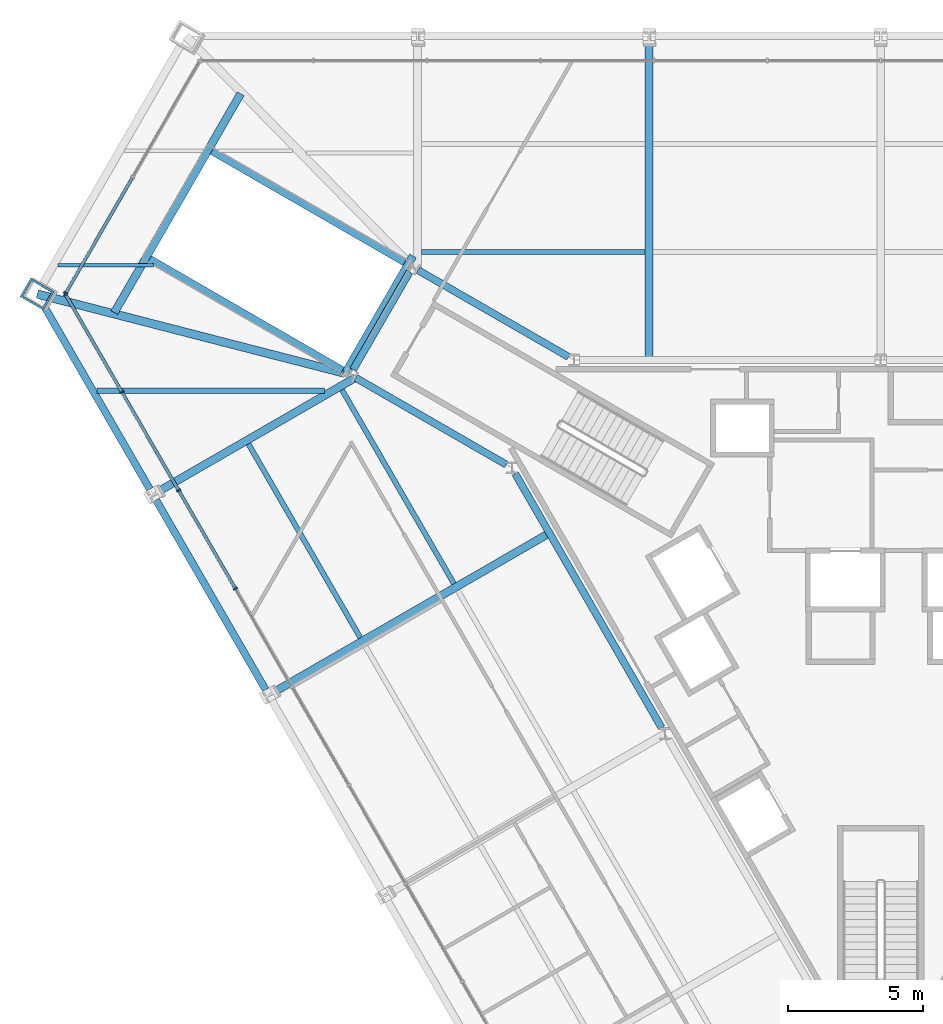
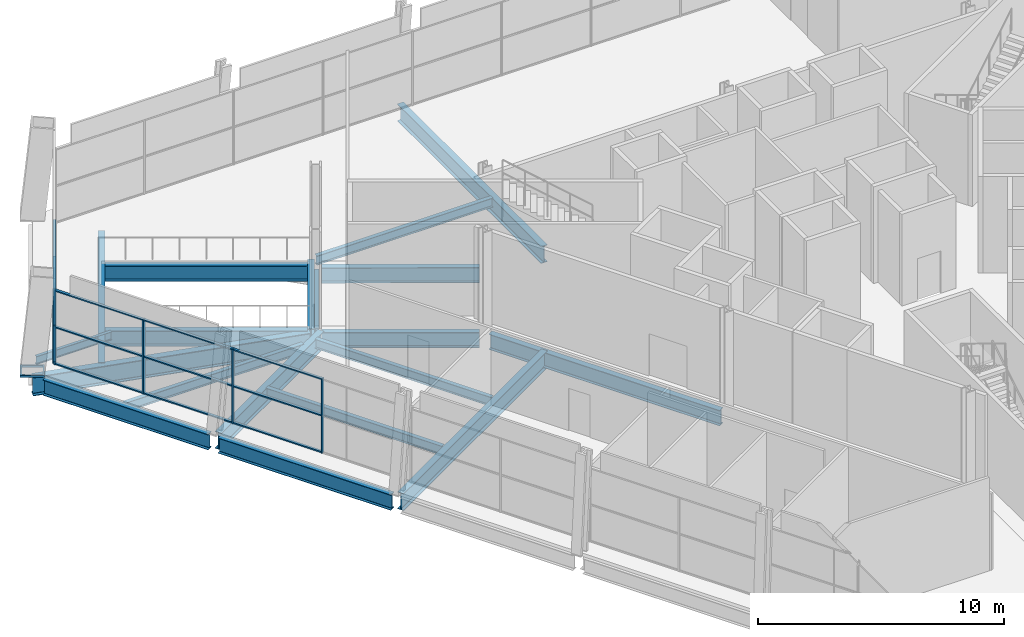
# One storey, part 6 of 18: 19 beams, 18 members, 2 elements without a shape of their own.
"""IFC4 building model written with IfcOpenShell, lengths in metres."""

from ifc_helpers import new_model, si_unit, direction, frame, origin, origin_2d, place, context, subcontext, project, spatial, rectangle, hollow_rectangle, i_section, extrude, material, layer, layer_set, material_profile, profile_set, type_object, element, aggregate, save


model = new_model("IFC4")

# Units and contexts
model_context = context("Model", 3, precision=1e-05, world=origin(), true_north=direction((0.0, 1.0)))
body_context = subcontext(model_context, "Body", "Model", "MODEL_VIEW")
ifc_project = project(units=[si_unit("LENGTHUNIT", "METRE"), si_unit("AREAUNIT", "SQUARE_METRE"), si_unit("VOLUMEUNIT", "CUBIC_METRE"), si_unit("PLANEANGLEUNIT", "RADIAN"), si_unit("MASSUNIT", "GRAM", prefix="KILO")], contexts=[model_context])

# Site, building, storey
site_placement = place(None, origin())
site = spatial("IfcSite", under=ifc_project, at=site_placement, CompositionType="ELEMENT")
building_placement = place(site_placement, origin())
building = spatial("IfcBuilding", under=site, at=building_placement, Name="Verrane Prism Tower", CompositionType="ELEMENT")
storey_placement = place(building_placement, frame((0.0, 0.0, 32.0)))
storey = spatial("IfcBuildingStorey", under=building, at=storey_placement, Name="L05", CompositionType="ELEMENT", Elevation=32.0)

# Curtain wall, member
ifc_material_1 = material(Name="Aluminium and glass curtain wall", Category="aluminium")
ifc_layer = layer(ifc_material_1, 0.199951171875)
ifc_layer_set = layer_set([ifc_layer], Name="CWB-1 retail curtain wall")
curtain_wall_type = type_object("IfcCurtainWallType", Name="CWB-1 retail curtain wall", PredefinedType="NOTDEFINED", material=ifc_layer_set)
curtain_wall_1_placement = place(storey_placement, origin())
curtain_wall_1 = element("IfcCurtainWall", 1, at=curtain_wall_1_placement, inside=storey, type_object=curtain_wall_type, Name="Retail curtain wall L05 3", PredefinedType="NOTDEFINED")
ifc_material_2 = material(Name="Aluminium", Category="aluminium")
ifc_material_profile_1 = material_profile(ifc_material_2, rectangle(XDim=0.159912109375, YDim=0.06005859375, at=origin_2d()), Name="CWB-M 60x160 mullion")
ifc_profile_set_1 = profile_set([ifc_material_profile_1], Name="Aluminium")
member_type_1 = type_object("IfcMemberType", Name="CWB-M 60x160 mullion", PredefinedType="MULLION", material=ifc_profile_set_1)
member_1_placement = place(storey_placement, frame((-30.11328125, 11.669677734375, 0.0), z_axis=(0.0, 0.0, 1.0), x_axis=(0.866025871, -0.499999190758, 0.0)))
member_1 = element("IfcMember", 2, at=member_1_placement, type_object=member_type_1, Name="CWB53 mullion 3", PredefinedType="MULLION", context=body_context, shape_type="SweptSolid", body=[
    extrude(rectangle(XDim=0.159912109375, YDim=0.06005859375, at=origin_2d()), origin(), (0.0, 0.0, 1.0), 3.68994140625),
])

# Curtain wall, members
curtain_wall_2_placement = place(storey_placement, origin())
curtain_wall_2 = element("IfcCurtainWall", 3, at=curtain_wall_2_placement, inside=storey, type_object=curtain_wall_type, Name="Retail curtain wall L05 4", PredefinedType="NOTDEFINED")
member_2_placement = place(storey_placement, frame((-30.11328125, 11.61767578125, 0.0), z_axis=(0.0, 0.0, 1.0), x_axis=(0.866025335097, 0.50000011897, 0.0)))
member_2 = element("IfcMember", 4, at=member_2_placement, type_object=member_type_1, Name="CWB54 mullion 1", PredefinedType="MULLION", context=body_context, shape_type="SweptSolid", body=[
    extrude(rectangle(XDim=0.159912109375, YDim=0.06005859375, at=origin_2d()), origin(), (0.0, 0.0, 1.0), 3.68994140625),
])
member_3_placement = place(storey_placement, frame((-28.03271484375, 8.013916015625, 0.0), z_axis=(0.0, 0.0, 1.0), x_axis=(0.866025335097, 0.50000011897, 0.0)))
member_3 = element("IfcMember", 5, at=member_3_placement, type_object=member_type_1, Name="CWB54 mullion 2", PredefinedType="MULLION", context=body_context, shape_type="SweptSolid", body=[
    extrude(rectangle(XDim=0.159912109375, YDim=0.06005859375, at=origin_2d()), origin(), (0.0, 0.0, 1.0), 3.68994140625),
])
member_4_placement = place(storey_placement, frame((-25.93701171875, 4.384033203125, 0.0), z_axis=(0.0, 0.0, 1.0), x_axis=(0.866025335097, 0.50000011897, 0.0)))
member_4 = element("IfcMember", 6, at=member_4_placement, type_object=member_type_1, Name="CWB54 mullion 3", PredefinedType="MULLION", context=body_context, shape_type="SweptSolid", body=[
    extrude(rectangle(XDim=0.159912109375, YDim=0.06005859375, at=origin_2d()), origin(), (0.0, 0.0, 1.0), 3.68994140625),
])
member_5_placement = place(storey_placement, frame((-23.84130859375, 0.75439453125, 0.0), z_axis=(0.0, 0.0, 1.0), x_axis=(0.866025335097, 0.50000011897, 0.0)))
member_5 = element("IfcMember", 7, at=member_5_placement, type_object=member_type_1, Name="CWB54 mullion 4", PredefinedType="MULLION", context=body_context, shape_type="SweptSolid", body=[
    extrude(rectangle(XDim=0.159912109375, YDim=0.06005859375, at=origin_2d()), origin(), (0.0, 0.0, 1.0), 3.68994140625),
])

# Member
ifc_material_3 = material(Name="Aluminium", Category="aluminium")
ifc_material_profile_2 = material_profile(ifc_material_3, rectangle(XDim=0.1201171875, YDim=0.06005859375, at=origin_2d()), Name="CWB-T 60x120 transom")
ifc_profile_set_2 = profile_set([ifc_material_profile_2], Name="Aluminium")
member_type_2 = type_object("IfcMemberType", Name="CWB-T 60x120 transom", PredefinedType="USERDEFINED", material=ifc_profile_set_2)
member_6_placement = place(storey_placement, frame((-27.653076171875, 15.930908203125, 0.030029296875), z_axis=(-0.500004774777, -0.866022647048, 0.0), x_axis=(0.866022647048, -0.500004774777, 0.0)))
member_6 = element("IfcMember", 8, at=member_6_placement, type_object=member_type_2, Name="CWB53 transom 2.1", ObjectType="TRANSOM", PredefinedType="USERDEFINED", context=body_context, shape_type="SweptSolid", body=[
    extrude(rectangle(XDim=0.1201171875, YDim=0.06005859375, at=origin_2d()), origin(), (0.0, 0.0, 1.0), 4.890625),
])

member_7_placement = place(storey_placement, frame((-27.653076171875, 15.930908203125, 1.844970703125), z_axis=(-0.500004774777, -0.866022647048, 0.0), x_axis=(0.866022647048, -0.500004774777, 0.0)))
member_7 = element("IfcMember", 9, at=member_7_placement, type_object=member_type_2, Name="CWB53 transom 2.2", ObjectType="TRANSOM", PredefinedType="USERDEFINED", context=body_context, shape_type="SweptSolid", body=[
    extrude(rectangle(XDim=0.1201171875, YDim=0.06005859375, at=origin_2d()), origin(), (0.0, 0.0, 1.0), 4.890625),
])

member_8_placement = place(storey_placement, frame((-27.653076171875, 15.930908203125, 3.659912109375), z_axis=(-0.500004774777, -0.866022647048, 0.0), x_axis=(0.866022647048, -0.500004774777, 0.0)))
member_8 = element("IfcMember", 10, at=member_8_placement, type_object=member_type_2, Name="CWB53 transom 2.3", ObjectType="TRANSOM", PredefinedType="USERDEFINED", context=body_context, shape_type="SweptSolid", body=[
    extrude(rectangle(XDim=0.1201171875, YDim=0.06005859375, at=origin_2d()), origin(), (0.0, 0.0, 1.0), 4.890625),
])

aggregate(curtain_wall_1, [member_1, member_6, member_7, member_8])

member_9_placement = place(storey_placement, frame((-30.098388671875, 11.591796875, 0.030029296875), z_axis=(0.500005845305, -0.86602202897, 0.0), x_axis=(0.86602202897, 0.500005845305, 0.0)))
member_9 = element("IfcMember", 11, at=member_9_placement, type_object=member_type_2, Name="CWB54 transom 1.1", ObjectType="TRANSOM", PredefinedType="USERDEFINED", context=body_context, shape_type="SweptSolid", body=[
    extrude(rectangle(XDim=0.1201171875, YDim=0.06005859375, at=origin_2d()), origin(), (0.0, 0.0, 1.0), 4.1015625),
])

member_10_placement = place(storey_placement, frame((-30.098388671875, 11.591796875, 1.844970703125), z_axis=(0.500005845305, -0.86602202897, 0.0), x_axis=(0.86602202897, 0.500005845305, 0.0)))
member_10 = element("IfcMember", 12, at=member_10_placement, type_object=member_type_2, Name="CWB54 transom 1.2", ObjectType="TRANSOM", PredefinedType="USERDEFINED", context=body_context, shape_type="SweptSolid", body=[
    extrude(rectangle(XDim=0.1201171875, YDim=0.06005859375, at=origin_2d()), origin(), (0.0, 0.0, 1.0), 4.1015625),
])

member_11_placement = place(storey_placement, frame((-30.098388671875, 11.591796875, 3.659912109375), z_axis=(0.500005845305, -0.86602202897, 0.0), x_axis=(0.86602202897, 0.500005845305, 0.0)))
member_11 = element("IfcMember", 13, at=member_11_placement, type_object=member_type_2, Name="CWB54 transom 1.3", ObjectType="TRANSOM", PredefinedType="USERDEFINED", context=body_context, shape_type="SweptSolid", body=[
    extrude(rectangle(XDim=0.1201171875, YDim=0.06005859375, at=origin_2d()), origin(), (0.0, 0.0, 1.0), 4.1015625),
])

member_12_placement = place(storey_placement, frame((-28.017578125, 7.988037109375, 0.030029296875), z_axis=(0.499996977546, -0.866027148792, 0.0), x_axis=(0.866027148792, 0.499996977546, 0.0)))
member_12 = element("IfcMember", 14, at=member_12_placement, type_object=member_type_2, Name="CWB54 transom 2.1", ObjectType="TRANSOM", PredefinedType="USERDEFINED", context=body_context, shape_type="SweptSolid", body=[
    extrude(rectangle(XDim=0.1201171875, YDim=0.06005859375, at=origin_2d()), origin(), (0.0, 0.0, 1.0), 4.13134765625),
])

member_13_placement = place(storey_placement, frame((-28.017578125, 7.988037109375, 1.844970703125), z_axis=(0.499996977546, -0.866027148792, 0.0), x_axis=(0.866027148792, 0.499996977546, 0.0)))
member_13 = element("IfcMember", 15, at=member_13_placement, type_object=member_type_2, Name="CWB54 transom 2.2", ObjectType="TRANSOM", PredefinedType="USERDEFINED", context=body_context, shape_type="SweptSolid", body=[
    extrude(rectangle(XDim=0.1201171875, YDim=0.06005859375, at=origin_2d()), origin(), (0.0, 0.0, 1.0), 4.13134765625),
])

member_14_placement = place(storey_placement, frame((-28.017578125, 7.988037109375, 3.659912109375), z_axis=(0.499996977546, -0.866027148792, 0.0), x_axis=(0.866027148792, 0.499996977546, 0.0)))
member_14 = element("IfcMember", 16, at=member_14_placement, type_object=member_type_2, Name="CWB54 transom 2.3", ObjectType="TRANSOM", PredefinedType="USERDEFINED", context=body_context, shape_type="SweptSolid", body=[
    extrude(rectangle(XDim=0.1201171875, YDim=0.06005859375, at=origin_2d()), origin(), (0.0, 0.0, 1.0), 4.13134765625),
])

member_15_placement = place(storey_placement, frame((-25.921875, 4.358154296875, 0.030029296875), z_axis=(0.499996977546, -0.866027148792, 0.0), x_axis=(0.866027148792, 0.499996977546, 0.0)))
member_15 = element("IfcMember", 17, at=member_15_placement, type_object=member_type_2, Name="CWB54 transom 3.1", ObjectType="TRANSOM", PredefinedType="USERDEFINED", context=body_context, shape_type="SweptSolid", body=[
    extrude(rectangle(XDim=0.1201171875, YDim=0.06005859375, at=origin_2d()), origin(), (0.0, 0.0, 1.0), 4.13134765625),
])

member_16_placement = place(storey_placement, frame((-25.921875, 4.358154296875, 1.844970703125), z_axis=(0.499996977546, -0.866027148792, 0.0), x_axis=(0.866027148792, 0.499996977546, 0.0)))
member_16 = element("IfcMember", 18, at=member_16_placement, type_object=member_type_2, Name="CWB54 transom 3.2", ObjectType="TRANSOM", PredefinedType="USERDEFINED", context=body_context, shape_type="SweptSolid", body=[
    extrude(rectangle(XDim=0.1201171875, YDim=0.06005859375, at=origin_2d()), origin(), (0.0, 0.0, 1.0), 4.13134765625),
])

member_17_placement = place(storey_placement, frame((-25.921875, 4.358154296875, 3.659912109375), z_axis=(0.499996977546, -0.866027148792, 0.0), x_axis=(0.866027148792, 0.499996977546, 0.0)))
member_17 = element("IfcMember", 19, at=member_17_placement, type_object=member_type_2, Name="CWB54 transom 3.3", ObjectType="TRANSOM", PredefinedType="USERDEFINED", context=body_context, shape_type="SweptSolid", body=[
    extrude(rectangle(XDim=0.1201171875, YDim=0.06005859375, at=origin_2d()), origin(), (0.0, 0.0, 1.0), 4.13134765625),
])

aggregate(curtain_wall_2, [member_2, member_3, member_4, member_5, member_9, member_10, member_11, member_12, member_13, member_14, member_15, member_16, member_17])

# Beams
ifc_material_4 = material(Name="Steel A992", Category="steel")
ifc_material_profile_3 = material_profile(ifc_material_4, i_section(OverallWidth=0.2666015625, OverallDepth=0.76708984375, WebThickness=0.014892578125, FlangeThickness=0.023681640625, FilletRadius=0.0166015625, at=origin_2d()), Name="W30x124")
ifc_profile_set_3 = profile_set([ifc_material_profile_3], Name="Steel A992")
beam_type_1 = type_object("IfcBeamType", Name="Core ring girder W30x124", PredefinedType="BEAM", material=ifc_profile_set_3)
beam_1_placement = place(storey_placement, frame((-11.53564453125, 9.318603515625, -0.633544921875), z_axis=(-0.866455356291, 0.499254559873, 0.0), x_axis=(-0.499254559873, -0.866455356291, 0.0)))
element("IfcBeam", 20, at=beam_1_placement, inside=storey, type_object=beam_type_1, Name="Core ring girder L05", PredefinedType="BEAM", context=body_context, shape_type="SweptSolid", body=[
    extrude(i_section(OverallWidth=0.2666015625, OverallDepth=0.76708984375, WebThickness=0.014892578125, FlangeThickness=0.023681640625, FilletRadius=0.0166015625, at=origin_2d()), origin(), (0.0, 0.0, 1.0), 6.415283203125),
])
beam_2_placement = place(storey_placement, frame((-17.406005859375, 12.456298828125, -0.633544921875), z_axis=(-0.500367275473, -0.865813253326, 0.0), x_axis=(0.865813253326, -0.500367275473, 0.0)))
element("IfcBeam", 21, at=beam_2_placement, inside=storey, type_object=beam_type_1, Name="Core ring girder L05", PredefinedType="BEAM", context=body_context, shape_type="SweptSolid", body=[
    extrude(i_section(OverallWidth=0.2666015625, OverallDepth=0.76708984375, WebThickness=0.014892578125, FlangeThickness=0.023681640625, FilletRadius=0.0166015625, at=origin_2d()), origin(), (0.0, 0.0, 1.0), 4.172607421875),
])
beam_3_placement = place(storey_placement, frame((-19.394287109375, 8.54150390625, -0.633544921875), z_axis=(0.866455356291, -0.499254559873, 0.0), x_axis=(0.499254559873, 0.866455356291, 0.0)))
element("IfcBeam", 22, at=beam_3_placement, inside=storey, type_object=beam_type_1, Name="Core ring girder L05", PredefinedType="BEAM", context=body_context, shape_type="SweptSolid", body=[
    extrude(i_section(OverallWidth=0.2666015625, OverallDepth=0.76708984375, WebThickness=0.014892578125, FlangeThickness=0.023681640625, FilletRadius=0.0166015625, at=origin_2d()), origin(), (0.0, 0.0, 1.0), 6.415283203125),
])
beam_4_placement = place(storey_placement, frame((-13.5048828125, 5.002685546875, -0.633544921875), z_axis=(0.499373178085, -0.866386997253, 0.0), x_axis=(0.866386997253, 0.499373178085, 0.0)))
element("IfcBeam", 23, at=beam_4_placement, inside=storey, type_object=beam_type_1, Name="Core ring girder L05", PredefinedType="BEAM", context=body_context, shape_type="SweptSolid", body=[
    extrude(i_section(OverallWidth=0.2666015625, OverallDepth=0.76708984375, WebThickness=0.014892578125, FlangeThickness=0.023681640625, FilletRadius=0.0166015625, at=origin_2d()), origin(), (0.0, 0.0, 1.0), 10.8330078125),
])
ifc_material_5 = material(Name="Steel A992", Category="steel")
ifc_material_profile_4 = material_profile(ifc_material_5, i_section(OverallWidth=0.307373046875, OverallDepth=0.927001953125, WebThickness=0.01953125, FlangeThickness=0.031982421875, FilletRadius=0.01904296875, at=origin_2d()), Name="W36x194")
ifc_profile_set_4 = profile_set([ifc_material_profile_4], Name="Steel A992")
beam_type_2 = type_object("IfcBeamType", Name="Corner girder W36x194", PredefinedType="BEAM", material=ifc_profile_set_4)
beam_5_placement = place(storey_placement, frame((-31.16455078125, 11.638671875, -0.68359375), z_axis=(0.968392733058, -0.249430380188, 0.0), x_axis=(0.249430380188, 0.968392733058, 0.0)))
element("IfcBeam", 24, at=beam_5_placement, inside=storey, type_object=beam_type_2, Name="Corner girder L05", PredefinedType="BEAM", context=body_context, shape_type="SweptSolid", body=[
    extrude(i_section(OverallWidth=0.307373046875, OverallDepth=0.927001953125, WebThickness=0.01953125, FlangeThickness=0.031982421875, FilletRadius=0.01904296875, at=origin_2d()), origin(), (0.0, 0.0, 1.0), 11.695556640625),
])
ifc_material_6 = material(Name="Steel A992", Category="steel")
ifc_material_profile_5 = material_profile(ifc_material_6, i_section(OverallWidth=0.140380859375, OverallDepth=0.40380859375, WebThickness=0.007080078125, FlangeThickness=0.01123046875, FilletRadius=0.01025390625, at=origin_2d()), Name="W16x31")
ifc_profile_set_5 = profile_set([ifc_material_profile_5], Name="Steel A992")
beam_type_3 = type_object("IfcBeamType", Name="Floor beam W16x31", PredefinedType="BEAM", material=ifc_profile_set_5)
beam_6_placement = place(storey_placement, frame((-30.3896484375, 12.699951171875, -0.36181640625), z_axis=(1.0, 0.0, 0.0), x_axis=(0.0, 1.0, 0.0)))
element("IfcBeam", 25, at=beam_6_placement, inside=storey, type_object=beam_type_3, Name="Floor beam L05", PredefinedType="BEAM", context=body_context, shape_type="SweptSolid", body=[
    extrude(i_section(OverallWidth=0.140380859375, OverallDepth=0.40380859375, WebThickness=0.007080078125, FlangeThickness=0.01123046875, FilletRadius=0.01025390625, at=origin_2d()), origin(), (0.0, 0.0, 1.0), 3.529052734375),
])
ifc_material_7 = material(Name="Steel A992", Category="steel")
ifc_material_profile_6 = material_profile(ifc_material_7, i_section(OverallWidth=0.1904296875, OverallDepth=0.457275390625, WebThickness=0.009033203125, FlangeThickness=0.014404296875, FilletRadius=0.01025390625, at=origin_2d()), Name="W18x50")
ifc_profile_set_6 = profile_set([ifc_material_profile_6], Name="Steel A992")
beam_type_4 = type_object("IfcBeamType", Name="Floor beam W18x50", PredefinedType="BEAM", material=ifc_profile_set_6)
beam_7_placement = place(storey_placement, frame((-16.964111328125, 13.18994140625, -0.388671875), z_axis=(1.0, 0.0, 0.0), x_axis=(0.0, 1.0, 0.0)))
element("IfcBeam", 26, at=beam_7_placement, inside=storey, type_object=beam_type_4, Name="Floor beam L05", PredefinedType="BEAM", context=body_context, shape_type="SweptSolid", body=[
    extrude(i_section(OverallWidth=0.1904296875, OverallDepth=0.457275390625, WebThickness=0.009033203125, FlangeThickness=0.014404296875, FilletRadius=0.01025390625, at=origin_2d()), origin(), (0.0, 0.0, 1.0), 8.258056640625),
])
beam_8_placement = place(storey_placement, frame((-28.950927734375, 8.06494140625, -0.388671875), z_axis=(1.0, 0.0, 0.0), x_axis=(0.0, 1.0, 0.0)))
element("IfcBeam", 27, at=beam_8_placement, inside=storey, type_object=beam_type_4, Name="Floor beam L05", PredefinedType="BEAM", context=body_context, shape_type="SweptSolid", body=[
    extrude(i_section(OverallWidth=0.1904296875, OverallDepth=0.457275390625, WebThickness=0.009033203125, FlangeThickness=0.014404296875, FilletRadius=0.01025390625, at=origin_2d()), origin(), (0.0, 0.0, 1.0), 8.4091796875),
])
beam_9_placement = place(storey_placement, frame((-15.769287109375, 0.93994140625, -0.388671875), z_axis=(-0.500018214608, 0.86601488732, 0.0), x_axis=(-0.86601488732, -0.500018214608, 0.0)))
element("IfcBeam", 28, at=beam_9_placement, inside=storey, type_object=beam_type_4, Name="Floor beam L05", PredefinedType="BEAM", context=body_context, shape_type="SweptSolid", body=[
    extrude(i_section(OverallWidth=0.1904296875, OverallDepth=0.457275390625, WebThickness=0.009033203125, FlangeThickness=0.014404296875, FilletRadius=0.01025390625, at=origin_2d()), origin(), (0.0, 0.0, 1.0), 8.264892578125),
])
beam_10_placement = place(storey_placement, frame((-19.226806640625, -1.05712890625, -0.388671875), z_axis=(-0.500005423512, 0.866022272496, 0.0), x_axis=(-0.866022272496, -0.500005423512, 0.0)))
element("IfcBeam", 29, at=beam_10_placement, inside=storey, type_object=beam_type_4, Name="Floor beam L05", PredefinedType="BEAM", context=body_context, shape_type="SweptSolid", body=[
    extrude(i_section(OverallWidth=0.1904296875, OverallDepth=0.457275390625, WebThickness=0.009033203125, FlangeThickness=0.014404296875, FilletRadius=0.01025390625, at=origin_2d()), origin(), (0.0, 0.0, 1.0), 8.26513671875),
])

# Member
ifc_material_8 = material(Name="Steel A572 Grade 50", Category="steel")
ifc_material_profile_7 = material_profile(ifc_material_8, hollow_rectangle(XDim=0.800048828125, YDim=1.0, WallThickness=0.074951171875, at=origin_2d()), Name="BOX 1000x800x75")
ifc_profile_set_7 = profile_set([ifc_material_profile_7], Name="Steel A572 Grade 50")
member_type_3 = type_object("IfcMemberType", Name="Kink node BOX 1000x800x75", PredefinedType="COLLAR", material=ifc_profile_set_7)
member_18_placement = place(storey_placement, frame((-31.167724609375, 11.6396484375, -0.044921875), z_axis=(0.0, 0.0, 1.0), x_axis=(0.5, 0.866025403784, 0.0)))
element("IfcMember", 30, at=member_18_placement, inside=storey, type_object=member_type_3, Name="Kink node MC2 L05", PredefinedType="COLLAR", context=body_context, shape_type="SweptSolid", body=[
    extrude(hollow_rectangle(XDim=0.800048828125, YDim=1.0, WallThickness=0.074951171875, at=origin_2d()), origin(), (0.0, 0.0, 1.0), 0.08984375),
])

# Beams
ifc_material_9 = material(Name="Steel A992", Category="steel")
ifc_material_profile_8 = material_profile(ifc_material_9, i_section(OverallWidth=0.2919921875, OverallDepth=0.845703125, WebThickness=0.015380859375, FlangeThickness=0.0244140625, FilletRadius=0.017822265625, at=origin_2d()), Name="W33x141")
ifc_profile_set_8 = profile_set([ifc_material_profile_8], Name="Steel A992")
beam_type_5 = type_object("IfcBeamType", Name="Radial girder W33x141", PredefinedType="BEAM", material=ifc_profile_set_8)
beam_11_placement = place(storey_placement, frame((-8.56005859375, 20.885498046875, -0.642822265625), z_axis=(0.0, -1.0, 0.0), x_axis=(1.0, 0.0, 0.0)))
element("IfcBeam", 31, at=beam_11_placement, inside=storey, type_object=beam_type_5, Name="Radial girder L05", PredefinedType="BEAM", context=body_context, shape_type="SweptSolid", body=[
    extrude(i_section(OverallWidth=0.2919921875, OverallDepth=0.845703125, WebThickness=0.015380859375, FlangeThickness=0.0244140625, FilletRadius=0.017822265625, at=origin_2d()), origin(), (0.0, 0.0, 1.0), 11.685546875),
])
beam_12_placement = place(storey_placement, frame((-26.6435546875, 4.372314453125, -0.642822265625), z_axis=(0.866029865125, 0.499992272651, 0.0), x_axis=(-0.499992272651, 0.866029865125, 0.0)))
element("IfcBeam", 32, at=beam_12_placement, inside=storey, type_object=beam_type_5, Name="Radial girder L05", PredefinedType="BEAM", context=body_context, shape_type="SweptSolid", body=[
    extrude(i_section(OverallWidth=0.2919921875, OverallDepth=0.845703125, WebThickness=0.015380859375, FlangeThickness=0.0244140625, FilletRadius=0.017822265625, at=origin_2d()), origin(), (0.0, 0.0, 1.0), 8.354736328125),
])
beam_13_placement = place(storey_placement, frame((-22.363525390625, -3.037841796875, -0.642822265625), z_axis=(0.86602143351, 0.500006876654, 0.0), x_axis=(-0.500006876654, 0.86602143351, 0.0)))
element("IfcBeam", 33, at=beam_13_placement, inside=storey, type_object=beam_type_5, Name="Radial girder L05", PredefinedType="BEAM", context=body_context, shape_type="SweptSolid", body=[
    extrude(i_section(OverallWidth=0.2919921875, OverallDepth=0.845703125, WebThickness=0.015380859375, FlangeThickness=0.0244140625, FilletRadius=0.017822265625, at=origin_2d()), origin(), (0.0, 0.0, 1.0), 11.690185546875),
])
ifc_material_10 = material(Name="Steel A992", Category="steel")
ifc_material_profile_9 = material_profile(ifc_material_10, i_section(OverallWidth=0.2666015625, OverallDepth=0.76708984375, WebThickness=0.014892578125, FlangeThickness=0.023681640625, FilletRadius=0.0166015625, at=origin_2d()), Name="W30x124")
ifc_profile_set_9 = profile_set([ifc_material_profile_9], Name="Steel A992")
beam_type_6 = type_object("IfcBeamType", Name="Slab edge girder W30x124", PredefinedType="BEAM", material=ifc_profile_set_9)
beam_14_placement = place(storey_placement, frame((-17.58203125, 12.806884765625, -0.54345703125), z_axis=(-0.866034923029, 0.499983511822, 0.0), x_axis=(-0.499983511822, -0.866034923029, 0.0)))
element("IfcBeam", 34, at=beam_14_placement, inside=storey, type_object=beam_type_6, Name="Slab edge girder L05", PredefinedType="BEAM", context=body_context, shape_type="SweptSolid", body=[
    extrude(i_section(OverallWidth=0.2666015625, OverallDepth=0.76708984375, WebThickness=0.014892578125, FlangeThickness=0.023681640625, FilletRadius=0.0166015625, at=origin_2d()), origin(), (0.0, 0.0, 1.0), 8.230224609375),
])
beam_15_placement = place(storey_placement, frame((-27.009521484375, 12.93798828125, -0.54345703125), z_axis=(0.86602750728, -0.499996356621, 0.0), x_axis=(0.499996356621, 0.86602750728, 0.0)))
element("IfcBeam", 35, at=beam_15_placement, inside=storey, type_object=beam_type_6, Name="Slab edge girder L05", PredefinedType="BEAM", context=body_context, shape_type="SweptSolid", body=[
    extrude(i_section(OverallWidth=0.2666015625, OverallDepth=0.76708984375, WebThickness=0.014892578125, FlangeThickness=0.023681640625, FilletRadius=0.0166015625, at=origin_2d()), origin(), (0.0, 0.0, 1.0), 8.22998046875),
])
ifc_material_11 = material(Name="Steel A992", Category="steel")
ifc_material_profile_10 = material_profile(ifc_material_11, i_section(OverallWidth=0.2919921875, OverallDepth=0.845703125, WebThickness=0.015380859375, FlangeThickness=0.0244140625, FilletRadius=0.017822265625, at=origin_2d()), Name="W33x141")
ifc_profile_set_10 = profile_set([ifc_material_profile_10], Name="Steel A992")
beam_type_7 = type_object("IfcBeamType", Name="Slab edge girder W33x141", PredefinedType="BEAM", material=ifc_profile_set_10)
beam_16_placement = place(storey_placement, frame((-23.64794921875, 19.04052734375, -0.5830078125), z_axis=(-0.500003119808, -0.866023602555, 0.0), x_axis=(0.866023602555, -0.500003119808, 0.0)))
element("IfcBeam", 36, at=beam_16_placement, inside=storey, type_object=beam_type_7, Name="Slab edge girder L05", PredefinedType="BEAM", context=body_context, shape_type="SweptSolid", body=[
    extrude(i_section(OverallWidth=0.2919921875, OverallDepth=0.845703125, WebThickness=0.015380859375, FlangeThickness=0.0244140625, FilletRadius=0.017822265625, at=origin_2d()), origin(), (0.0, 0.0, 1.0), 9.3369140625),
])
beam_17_placement = place(storey_placement, frame((-19.761962890625, 8.75146484375, -0.5830078125), z_axis=(0.500002137087, 0.866024169933, 0.0), x_axis=(-0.866024169933, 0.500002137087, 0.0)))
element("IfcBeam", 37, at=beam_17_placement, inside=storey, type_object=beam_type_7, Name="Slab edge girder L05", PredefinedType="BEAM", context=body_context, shape_type="SweptSolid", body=[
    extrude(i_section(OverallWidth=0.2919921875, OverallDepth=0.845703125, WebThickness=0.015380859375, FlangeThickness=0.0244140625, FilletRadius=0.017822265625, at=origin_2d()), origin(), (0.0, 0.0, 1.0), 4.9619140625),
])
ifc_material_12 = material(Name="Steel A992", Category="steel")
ifc_material_profile_11 = material_profile(ifc_material_12, i_section(OverallWidth=0.2666015625, OverallDepth=0.76708984375, WebThickness=0.014892578125, FlangeThickness=0.023681640625, FilletRadius=0.0166015625, at=origin_2d()), Name="W30x124")
ifc_profile_set_11 = profile_set([ifc_material_profile_11], Name="Steel A992")
beam_type_8 = type_object("IfcBeamType", Name="Spandrel beam W30x124", PredefinedType="SPANDREL", material=ifc_profile_set_11)
beam_18_placement = place(storey_placement, frame((-30.88134765625, 11.14013671875, -0.54345703125), z_axis=(0.500179482495, -0.865921754716, 0.0), x_axis=(0.865921754716, 0.500179482495, 0.0)))
element("IfcBeam", 38, at=beam_18_placement, inside=storey, type_object=beam_type_8, Name="Spandrel beam L05", PredefinedType="SPANDREL", context=body_context, shape_type="SweptSolid", body=[
    extrude(i_section(OverallWidth=0.2666015625, OverallDepth=0.76708984375, WebThickness=0.014892578125, FlangeThickness=0.023681640625, FilletRadius=0.0166015625, at=origin_2d()), origin(), (0.0, 0.0, 1.0), 7.752685546875),
])
beam_19_placement = place(storey_placement, frame((-26.7763671875, 4.033203125, -0.54345703125), z_axis=(0.500170167531, -0.865927135221, 0.0), x_axis=(0.865927135221, 0.500170167531, 0.0)))
element("IfcBeam", 39, at=beam_19_placement, inside=storey, type_object=beam_type_8, Name="Spandrel beam L05", PredefinedType="SPANDREL", context=body_context, shape_type="SweptSolid", body=[
    extrude(i_section(OverallWidth=0.2666015625, OverallDepth=0.76708984375, WebThickness=0.014892578125, FlangeThickness=0.023681640625, FilletRadius=0.0166015625, at=origin_2d()), origin(), (0.0, 0.0, 1.0), 8.102783203125),
])

save(model, "model.ifc")
